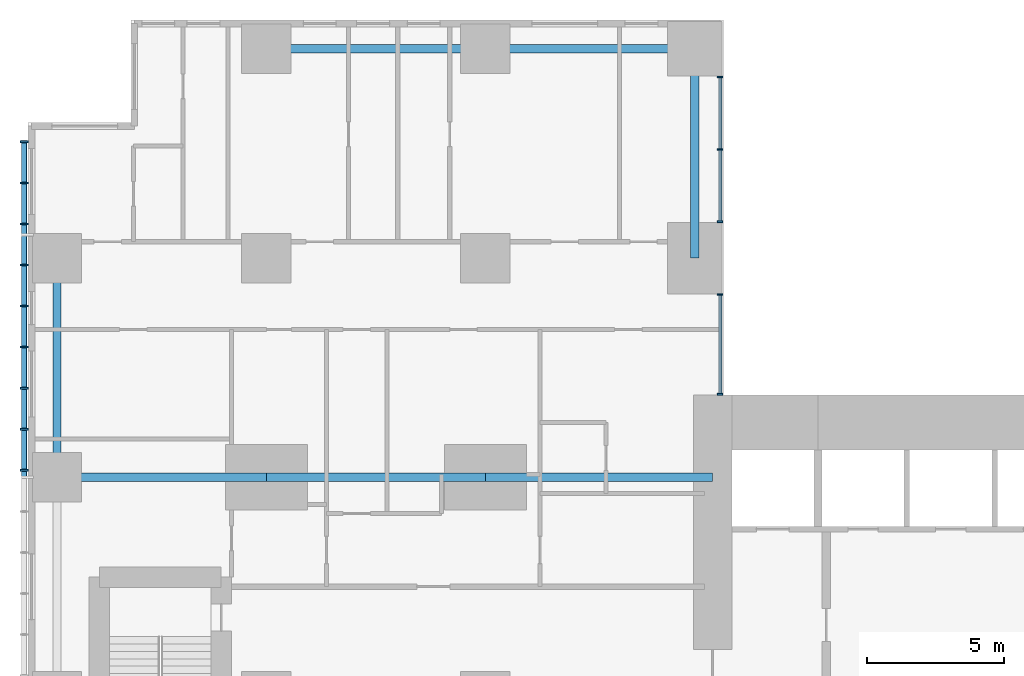
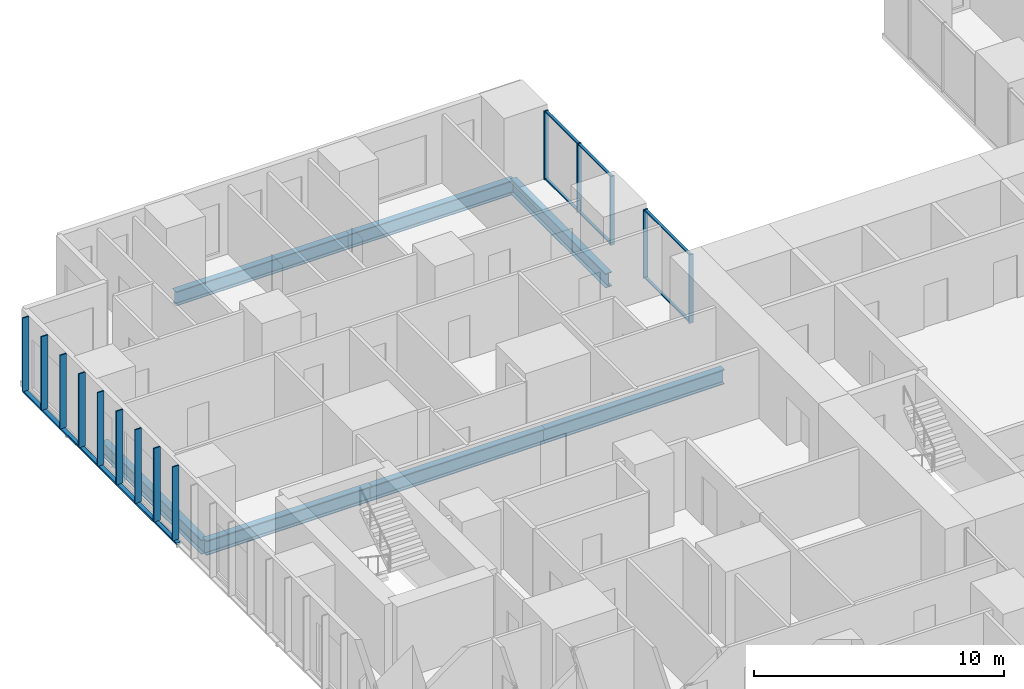
# One storey, part 4 of 20: 21 members, 7 beams, 2 elements without a shape of their own.
"""IFC4 building model written with IfcOpenShell, lengths in metres."""

import ifcopenshell
import ifcopenshell.guid

model = None  # the IFC model being written
_history = None  # IfcOwnerHistory: only IFC2X3 demands one
_inside = {}  # id of a spatial element -> (the spatial element, [elements in it])
_under = {}  # id of a project, library or spatial element -> (it, [spatial elements below it])
_declared = {}  # id of a project -> (the project, [libraries it declares])
_typed = {}  # id of a type object -> (the type object, [elements of that type])
_made_of = {}  # id of a material, layer set ... -> (it, [elements and type objects made of it])


def new_model(schema):
    """Start an empty IFC model of exactly this schema.

    Asked for "IFC4X3", IfcOpenShell would pick the latest addendum, in which some entities
    have other attributes; the version numbers below select the first issue.
    IFC2X3 requires an IfcOwnerHistory on every rooted entity: one is made here for all.
    """
    global model, _history
    if schema == "IFC4X3":
        model = ifcopenshell.file(schema_version=(4, 3, 0, 0))
    else:
        model = ifcopenshell.file(schema=schema)
    _inside.clear()
    _under.clear()
    _declared.clear()
    _typed.clear()
    _made_of.clear()
    _history = None
    if model.schema == "IFC2X3":
        org = make("IfcOrganization", Name="unknown")
        user = make(
            "IfcPersonAndOrganization",
            ThePerson=make("IfcPerson", FamilyName="unknown"),
            TheOrganization=org,
        )
        app = make(
            "IfcApplication",
            ApplicationDeveloper=org,
            Version="unknown",
            ApplicationFullName="unknown",
            ApplicationIdentifier="unknown",
        )
        _history = make(
            "IfcOwnerHistory",
            OwningUser=user,
            OwningApplication=app,
            ChangeAction="ADDED",
            CreationDate=0,
        )
    return model


def make(cls, **values):
    """One entity of the class cls with the attributes given. An attribute that is None is left unset."""
    return model.create_entity(
        cls, **{name: value for name, value in values.items() if value is not None}
    )


def rooted(cls, **values):
    """An entity with a GlobalId (a new one), such as an element, a storey or a relation."""
    return make(cls, GlobalId=ifcopenshell.guid.new(), OwnerHistory=_history, **values)


def si_unit(unit_type, name, prefix=None):
    """IfcSIUnit, for example si_unit("LENGTHUNIT", "METRE", prefix="MILLI")."""
    return make("IfcSIUnit", UnitType=unit_type, Prefix=prefix, Name=name)


def assignment(units):
    """IfcUnitAssignment: the units of a project."""
    return None if units is None else make("IfcUnitAssignment", Units=units)


def point(xyz):
    """IfcCartesianPoint."""
    return None if xyz is None else make("IfcCartesianPoint", Coordinates=xyz)


def direction(xyz):
    """IfcDirection."""
    return None if xyz is None else make("IfcDirection", DirectionRatios=xyz)


def frame(location, z_axis=None, x_axis=None):
    """IfcAxis2Placement3D, a coordinate frame: its origin and axes. An axis left out is left unset."""
    return make(
        "IfcAxis2Placement3D",
        Location=point(location),
        Axis=direction(z_axis),
        RefDirection=direction(x_axis),
    )


def frame_2d(location, x_axis=None):
    """IfcAxis2Placement2D, a coordinate frame in the plane: its origin and x axis."""
    return make(
        "IfcAxis2Placement2D", Location=point(location), RefDirection=direction(x_axis)
    )


def origin():
    """The frame at (0, 0, 0) with its axes left unset."""
    return frame((0.0, 0.0, 0.0))


def origin_2d():
    """The frame at (0, 0) in the plane with its x axis left unset."""
    return frame_2d((0.0, 0.0))


def place(relative_to, where):
    """IfcLocalPlacement: puts the frame where relative to a parent placement (None: the world)."""
    return make(
        "IfcLocalPlacement", PlacementRelTo=relative_to, RelativePlacement=where
    )


def context(
    kind, dimensions, precision=None, world=None, true_north=None, identifier=None
):
    """IfcGeometricRepresentationContext, for example the 3D "Model" context."""
    return make(
        "IfcGeometricRepresentationContext",
        ContextIdentifier=identifier,
        ContextType=kind,
        CoordinateSpaceDimension=dimensions,
        Precision=precision,
        WorldCoordinateSystem=world,
        TrueNorth=true_north,
    )


def subcontext(parent, identifier, kind, view, scale=None):
    """IfcGeometricRepresentationSubContext, for example "Body" below "Model"."""
    return make(
        "IfcGeometricRepresentationSubContext",
        ContextIdentifier=identifier,
        ContextType=kind,
        ParentContext=parent,
        TargetScale=scale,
        TargetView=view,
    )


def project(units=None, contexts=None):
    """IfcProject with its units and contexts."""
    return rooted(
        "IfcProject",
        Name="project",
        RepresentationContexts=contexts,
        UnitsInContext=assignment(units),
    )


def spatial(cls, under=None, at=None, **own):
    """A site, building, storey or space (cls), placed at a placement, below another one or the project."""
    s = rooted(cls, ObjectPlacement=at, **own)
    if under is not None:
        _under.setdefault(under.id(), (under, []))[1].append(s)
    return s


def profile(cls, at=None, kind="AREA", **sizes):
    """A parametric profile (cls). Its sizes go by their IFC names, for example OverallWidth=200.0."""
    return make(cls, ProfileType=kind, Position=at, **sizes)


def rectangle(**sizes):
    """IfcRectangleProfileDef."""
    return profile("IfcRectangleProfileDef", **sizes)


def hollow_rectangle(**sizes):
    """IfcRectangleHollowProfileDef."""
    return profile("IfcRectangleHollowProfileDef", **sizes)


def i_section(**sizes):
    """IfcIShapeProfileDef."""
    return profile("IfcIShapeProfileDef", **sizes)


def extrude(swept, where, along, depth):
    """IfcExtrudedAreaSolid: the profile swept, set in the frame where, extruded along a direction by depth."""
    return make(
        "IfcExtrudedAreaSolid",
        SweptArea=swept,
        Position=where,
        ExtrudedDirection=direction(along),
        Depth=depth,
    )


def shape(context_of_items, identifier, shape_type, items):
    """IfcShapeRepresentation: the items that make up one representation, for example the "Body"."""
    return make(
        "IfcShapeRepresentation",
        ContextOfItems=context_of_items,
        RepresentationIdentifier=identifier,
        RepresentationType=shape_type,
        Items=items,
    )


def material(Name=None, Category=None):
    """IfcMaterial."""
    return make("IfcMaterial", Name=Name, Category=Category)


def layer(
    of_material, thickness, ventilated=None, Name=None, Category=None, Priority=None
):
    """IfcMaterialLayer: one layer of a wall or slab, of a material (None: an air gap)."""
    return make(
        "IfcMaterialLayer",
        Material=of_material,
        LayerThickness=thickness,
        IsVentilated=ventilated,
        Name=Name,
        Category=Category,
        Priority=Priority,
    )


def layer_set(layers, Name=None):
    """IfcMaterialLayerSet."""
    return make("IfcMaterialLayerSet", MaterialLayers=layers, LayerSetName=Name)


def material_profile(
    of_material, cross_section, Name=None, Category=None, Priority=None
):
    """IfcMaterialProfile: a cross section and its material."""
    return make(
        "IfcMaterialProfile",
        Name=Name,
        Material=of_material,
        Profile=cross_section,
        Priority=Priority,
        Category=Category,
    )


def profile_set(profiles, Name=None, composite=None):
    """IfcMaterialProfileSet."""
    return make(
        "IfcMaterialProfileSet",
        Name=Name,
        MaterialProfiles=profiles,
        CompositeProfile=composite,
    )


def made_of(thing, what):
    """Note that an element or type object is made of a material, layer set ...; save() writes the relation."""
    if what is not None:
        _made_of.setdefault(what.id(), (what, []))[1].append(thing)
    return thing


def type_object(cls, material=None, **own):
    """A type object (cls), such as IfcWallType, which elements share."""
    return made_of(rooted(cls, **own), material)


def element(
    cls,
    number,
    at=None,
    inside=None,
    cuts=None,
    type_object=None,
    material=None,
    context=None,
    identifier="Body",
    shape_type=None,
    held_by="IfcProductDefinitionShape",
    body=None,
    shapes=None,
    **own,
):
    """One element of the class cls, such as IfcWall. Its Tag is "e" and its number.

    at: its placement. inside: the storey or other place that contains it. cuts: it is an
    opening in that element (IfcRelVoidsElement). A single representation is given by context,
    identifier, shape_type and body (its items); several are given by shapes. held_by: the class
    of the entity that holds the representations. save() writes the other relations.
    """
    e = rooted(cls, Tag="e%d" % number, ObjectPlacement=at, **own)
    if body is not None:
        shapes = [shape(context, identifier, shape_type, body)]
    if shapes is not None:
        e.Representation = make(held_by, Representations=shapes)
    if inside is not None:
        _inside.setdefault(inside.id(), (inside, []))[1].append(e)
    if cuts is not None:
        rooted(
            "IfcRelVoidsElement", RelatingBuildingElement=cuts, RelatedOpeningElement=e
        )
    if type_object is not None:
        _typed.setdefault(type_object.id(), (type_object, []))[1].append(e)
    return made_of(e, material)


def aggregate(whole, parts):
    """IfcRelAggregates: a whole, such as a stair, and the parts it consists of."""
    return rooted("IfcRelAggregates", RelatingObject=whole, RelatedObjects=parts)


def save(model, path):
    """Write the relations noted so far, then the file.

    IfcRelAggregates (storeys below a building ...), IfcRelContainedInSpatialStructure (elements
    in a storey), IfcRelDefinesByType, IfcRelAssociatesMaterial and IfcRelDeclares: one each for
    every whole, place, type object, material and project.
    """
    for whole, parts in _under.values():
        aggregate(whole, parts)
    for where, things in _inside.values():
        rooted(
            "IfcRelContainedInSpatialStructure",
            RelatedElements=things,
            RelatingStructure=where,
        )
    for kind, things in _typed.values():
        rooted("IfcRelDefinesByType", RelatedObjects=things, RelatingType=kind)
    for what, things in _made_of.values():
        rooted("IfcRelAssociatesMaterial", RelatedObjects=things, RelatingMaterial=what)
    for by, libraries in _declared.values():
        rooted("IfcRelDeclares", RelatingContext=by, RelatedDefinitions=libraries)
    model.write(path)


model = new_model("IFC4")

# Units and contexts
model_context = context("Model", 3, precision=1e-05, world=origin(), true_north=direction((0.0, 1.0)))
body_context = subcontext(model_context, "Body", "Model", "MODEL_VIEW")
ifc_project = project(units=[si_unit("LENGTHUNIT", "METRE"), si_unit("AREAUNIT", "SQUARE_METRE"), si_unit("VOLUMEUNIT", "CUBIC_METRE"), si_unit("PLANEANGLEUNIT", "RADIAN"), si_unit("MASSUNIT", "GRAM", prefix="KILO")], contexts=[model_context])

# Site, building, storey
site_placement = place(None, origin())
site = spatial("IfcSite", under=ifc_project, at=site_placement, CompositionType="ELEMENT")
building_placement = place(site_placement, origin())
building = spatial("IfcBuilding", under=site, at=building_placement, Name="Cleftline Residences", CompositionType="ELEMENT")
storey_placement = place(building_placement, frame((0.0, 0.0, 193.0)))
storey = spatial("IfcBuildingStorey", under=building, at=storey_placement, Name="L50", CompositionType="ELEMENT", Elevation=193.0)

# Member
ifc_material_1 = material(Name="Steel S355, hot-dip galvanised", Category="steel")
ifc_material_profile_1 = material_profile(ifc_material_1, hollow_rectangle(XDim=0.10009765625, YDim=0.199951171875, WallThickness=0.008056640625, InnerFilletRadius=0.008056640625, OuterFilletRadius=0.011962890625, at=origin_2d()))
ifc_profile_set_1 = profile_set([ifc_material_profile_1], Name="Steel S355, hot-dip galvanised")
member_type_1 = type_object("IfcMemberType", Name="BAGUETTE CARRIER RHS 200X100X8", PredefinedType="USERDEFINED", material=ifc_profile_set_1)
member_1_placement = place(storey_placement, frame((-0.85009765625, 44.300048828125, -0.050048828125), z_axis=(0.0, -1.0, 0.0), x_axis=(0.0, 0.0, 1.0)))
element("IfcMember", 1, at=member_1_placement, inside=storey, type_object=member_type_1, Name="Baguette carrier", ObjectType="BAGUETTE CARRIER", PredefinedType="USERDEFINED", context=body_context, shape_type="SweptSolid", body=[
    extrude(hollow_rectangle(XDim=0.10009765625, YDim=0.199951171875, WallThickness=0.008056640625, InnerFilletRadius=0.008056640625, OuterFilletRadius=0.011962890625, at=origin_2d()), origin(), (0.0, 0.0, 1.0), 12.300048828125),
])

# Beams
ifc_material_2 = material(Name="Steel S355", Category="steel")
ifc_material_profile_2 = material_profile(ifc_material_2, i_section(OverallWidth=0.300048828125, OverallDepth=0.699951171875, WebThickness=0.01708984375, FlangeThickness=0.031982421875, FilletRadius=0.027099609375, at=origin_2d()))
ifc_profile_set_2 = profile_set([ifc_material_profile_2], Name="Steel S355")
beam_type_1 = type_object("IfcBeamType", Name="BEAM HEB 700", PredefinedType="BEAM", material=ifc_profile_set_2)
for number, where, z_axis, x_axis, name in (
    (2, (0.35009765625, 32.0, -0.60009765625), (0.0, 1.0, 0.0), (-1.0, 0.0, 0.0), "Edge beam"),
    (3, (8.0, 47.64990234375, -0.60009765625), (1.0, 0.0, 0.0), (0.0, 1.0, 0.0), "Edge beam"),
):
    element("IfcBeam", number, at=place(storey_placement, frame(where, z_axis=z_axis, x_axis=x_axis)), inside=storey, type_object=beam_type_1, Name=name, PredefinedType="BEAM", context=body_context, shape_type="SweptSolid", body=[
        extrude(i_section(OverallWidth=0.300048828125, OverallDepth=0.699951171875, WebThickness=0.01708984375, FlangeThickness=0.031982421875, FilletRadius=0.027099609375, at=origin_2d()), origin(), (0.0, 0.0, 1.0), 8.0),
    ])
for number, where, z_axis, x_axis, name in (
    (4, (16.0, 47.64990234375, -0.60009765625), (1.0, 0.0, 0.0), (0.0, 1.0, 0.0), "Edge beam"),
    (5, (23.64990234375, 47.64990234375, -0.60009765625), (0.0, -1.0, 0.0), (1.0, 0.0, 0.0), "Edge beam"),
):
    element("IfcBeam", number, at=place(storey_placement, frame(where, z_axis=z_axis, x_axis=x_axis)), inside=storey, type_object=beam_type_1, Name=name, PredefinedType="BEAM", context=body_context, shape_type="SweptSolid", body=[
        extrude(i_section(OverallWidth=0.300048828125, OverallDepth=0.699951171875, WebThickness=0.01708984375, FlangeThickness=0.031982421875, FilletRadius=0.027099609375, at=origin_2d()), origin(), (0.0, 0.0, 1.0), 7.64990234375),
    ])
ifc_material_3 = material(Name="Steel S355", Category="steel")
ifc_material_profile_3 = material_profile(ifc_material_3, i_section(OverallWidth=0.303955078125, OverallDepth=0.716064453125, WebThickness=0.02099609375, FlangeThickness=0.0400390625, FilletRadius=0.027099609375, at=origin_2d()))
ifc_profile_set_3 = profile_set([ifc_material_profile_3], Name="Steel S355")
beam_type_2 = type_object("IfcBeamType", Name="BEAM HEM 700", PredefinedType="BEAM", material=ifc_profile_set_3)
beam_1_placement = place(storey_placement, frame((0.35009765625, 32.0, -0.60791015625), z_axis=(1.0, 0.0, 0.0), x_axis=(0.0, 1.0, 0.0)))
element("IfcBeam", 6, at=beam_1_placement, inside=storey, type_object=beam_type_2, Name="Band beam", PredefinedType="BEAM", context=body_context, shape_type="SweptSolid", body=[
    extrude(i_section(OverallWidth=0.303955078125, OverallDepth=0.716064453125, WebThickness=0.02099609375, FlangeThickness=0.0400390625, FilletRadius=0.027099609375, at=origin_2d()), origin(), (0.0, 0.0, 1.0), 7.64990234375),
])
beam_2_placement = place(storey_placement, frame((8.0, 32.0, -0.60791015625), z_axis=(1.0, 0.0, 0.0), x_axis=(0.0, 1.0, 0.0)))
element("IfcBeam", 7, at=beam_2_placement, inside=storey, type_object=beam_type_2, Name="Band beam", PredefinedType="BEAM", context=body_context, shape_type="SweptSolid", body=[
    extrude(i_section(OverallWidth=0.303955078125, OverallDepth=0.716064453125, WebThickness=0.02099609375, FlangeThickness=0.0400390625, FilletRadius=0.027099609375, at=origin_2d()), origin(), (0.0, 0.0, 1.0), 8.0),
])
beam_3_placement = place(storey_placement, frame((16.0, 32.0, -0.60791015625), z_axis=(1.0, 0.0, 0.0), x_axis=(0.0, 1.0, 0.0)))
element("IfcBeam", 8, at=beam_3_placement, inside=storey, type_object=beam_type_2, Name="Band beam", PredefinedType="BEAM", context=body_context, shape_type="SweptSolid", body=[
    extrude(i_section(OverallWidth=0.303955078125, OverallDepth=0.716064453125, WebThickness=0.02099609375, FlangeThickness=0.0400390625, FilletRadius=0.027099609375, at=origin_2d()), origin(), (0.0, 0.0, 1.0), 8.300048828125),
])

# Curtain wall, members
ifc_material_4 = material(Name="Aluminium framed curtain wall", Category="aluminium")
ifc_layer = layer(ifc_material_4, 0.199951171875)
ifc_layer_set = layer_set([ifc_layer], Name="CW1 CLEFT GLAZING")
curtain_wall_type = type_object("IfcCurtainWallType", Name="CW1 CLEFT GLAZING", PredefinedType="NOTDEFINED", material=ifc_layer_set)
curtain_wall_1_placement = place(storey_placement, origin())
curtain_wall_1 = element("IfcCurtainWall", 9, at=curtain_wall_1_placement, inside=storey, type_object=curtain_wall_type, Name="Curtain wall CW1", PredefinedType="NOTDEFINED")
ifc_material_5 = material(Name="Aluminium mullion", Category="aluminium")
ifc_material_profile_4 = material_profile(ifc_material_5, rectangle(XDim=0.199951171875, YDim=0.06005859375, at=origin_2d()))
ifc_profile_set_4 = profile_set([ifc_material_profile_4], Name="Aluminium mullion")
member_type_2 = type_object("IfcMemberType", Name="CW1 MULLION", PredefinedType="MULLION", material=ifc_profile_set_4)
member_2_placement = place(storey_placement, frame((24.574951171875, 35.030029296875, 0.0), z_axis=(0.0, 0.0, 1.0), x_axis=(-1.0, 0.0, 0.0)))
member_2 = element("IfcMember", 10, at=member_2_placement, type_object=member_type_2, Name="CW1 mullion 1", PredefinedType="MULLION", context=body_context, shape_type="SweptSolid", body=[
    extrude(rectangle(XDim=0.199951171875, YDim=0.06005859375, at=origin_2d()), origin(), (0.0, 0.0, 1.0), 3.35009765625),
])
member_3_placement = place(storey_placement, frame((24.574951171875, 38.669921875, 0.0), z_axis=(0.0, 0.0, 1.0), x_axis=(-1.0, 0.0, 0.0)))
member_3 = element("IfcMember", 11, at=member_3_placement, type_object=member_type_2, Name="CW1 mullion 2", PredefinedType="MULLION", context=body_context, shape_type="SweptSolid", body=[
    extrude(rectangle(XDim=0.199951171875, YDim=0.06005859375, at=origin_2d()), origin(), (0.0, 0.0, 1.0), 3.35009765625),
])

curtain_wall_2_placement = place(storey_placement, origin())
curtain_wall_2 = element("IfcCurtainWall", 12, at=curtain_wall_2_placement, inside=storey, type_object=curtain_wall_type, Name="Curtain wall CW1", PredefinedType="NOTDEFINED")
member_4_placement = place(storey_placement, frame((24.574951171875, 41.330078125, 0.0), z_axis=(0.0, 0.0, 1.0), x_axis=(-1.0, 0.0, 0.0)))
member_4 = element("IfcMember", 13, at=member_4_placement, type_object=member_type_2, Name="CW1 mullion 1", PredefinedType="MULLION", context=body_context, shape_type="SweptSolid", body=[
    extrude(rectangle(XDim=0.199951171875, YDim=0.06005859375, at=origin_2d()), origin(), (0.0, 0.0, 1.0), 3.35009765625),
])
member_5_placement = place(storey_placement, frame((24.574951171875, 43.97509765625, 0.0), z_axis=(0.0, 0.0, 1.0), x_axis=(-1.0, 0.0, 0.0)))
member_5 = element("IfcMember", 14, at=member_5_placement, type_object=member_type_2, Name="CW1 mullion 2", PredefinedType="MULLION", context=body_context, shape_type="SweptSolid", body=[
    extrude(rectangle(XDim=0.199951171875, YDim=0.06005859375, at=origin_2d()), origin(), (0.0, 0.0, 1.0), 3.35009765625),
])
member_6_placement = place(storey_placement, frame((24.574951171875, 46.6201171875, 0.0), z_axis=(0.0, 0.0, 1.0), x_axis=(-1.0, 0.0, 0.0)))
member_6 = element("IfcMember", 15, at=member_6_placement, type_object=member_type_2, Name="CW1 mullion 3", PredefinedType="MULLION", context=body_context, shape_type="SweptSolid", body=[
    extrude(rectangle(XDim=0.199951171875, YDim=0.06005859375, at=origin_2d()), origin(), (0.0, 0.0, 1.0), 3.35009765625),
])

# Member
ifc_material_6 = material(Name="Aluminium transom", Category="aluminium")
ifc_material_profile_5 = material_profile(ifc_material_6, rectangle(XDim=0.1201171875, YDim=0.06005859375, at=origin_2d()))
ifc_profile_set_5 = profile_set([ifc_material_profile_5], Name="Aluminium transom")
member_type_3 = type_object("IfcMemberType", Name="CW1 TRANSOM", PredefinedType="USERDEFINED", material=ifc_profile_set_5)
member_7_placement = place(storey_placement, frame((24.574951171875, 35.06005859375, 0.030029296875), z_axis=(0.0, 1.0, 0.0), x_axis=(-1.0, 0.0, 0.0)))
member_7 = element("IfcMember", 16, at=member_7_placement, type_object=member_type_3, Name="CW1 transom 1.1", ObjectType="TRANSOM", PredefinedType="USERDEFINED", context=body_context, shape_type="SweptSolid", body=[
    extrude(rectangle(XDim=0.1201171875, YDim=0.06005859375, at=origin_2d()), origin(), (0.0, 0.0, 1.0), 3.579833984375),
])

member_8_placement = place(storey_placement, frame((24.574951171875, 35.06005859375, 3.320068359375), z_axis=(0.0, 1.0, 0.0), x_axis=(-1.0, 0.0, 0.0)))
member_8 = element("IfcMember", 17, at=member_8_placement, type_object=member_type_3, Name="CW1 transom 1.2", ObjectType="TRANSOM", PredefinedType="USERDEFINED", context=body_context, shape_type="SweptSolid", body=[
    extrude(rectangle(XDim=0.1201171875, YDim=0.06005859375, at=origin_2d()), origin(), (0.0, 0.0, 1.0), 3.579833984375),
])

aggregate(curtain_wall_1, [member_2, member_3, member_7, member_8])

member_9_placement = place(storey_placement, frame((24.574951171875, 41.360107421875, 0.030029296875), z_axis=(0.0, 1.0, 0.0), x_axis=(-1.0, 0.0, 0.0)))
member_9 = element("IfcMember", 18, at=member_9_placement, type_object=member_type_3, Name="CW1 transom 1.1", ObjectType="TRANSOM", PredefinedType="USERDEFINED", context=body_context, shape_type="SweptSolid", body=[
    extrude(rectangle(XDim=0.1201171875, YDim=0.06005859375, at=origin_2d()), origin(), (0.0, 0.0, 1.0), 2.5849609375),
])

member_10_placement = place(storey_placement, frame((24.574951171875, 41.360107421875, 3.320068359375), z_axis=(0.0, 1.0, 0.0), x_axis=(-1.0, 0.0, 0.0)))
member_10 = element("IfcMember", 19, at=member_10_placement, type_object=member_type_3, Name="CW1 transom 1.2", ObjectType="TRANSOM", PredefinedType="USERDEFINED", context=body_context, shape_type="SweptSolid", body=[
    extrude(rectangle(XDim=0.1201171875, YDim=0.06005859375, at=origin_2d()), origin(), (0.0, 0.0, 1.0), 2.5849609375),
])

member_11_placement = place(storey_placement, frame((24.574951171875, 44.0048828125, 0.030029296875), z_axis=(0.0, 1.0, 0.0), x_axis=(-1.0, 0.0, 0.0)))
member_11 = element("IfcMember", 20, at=member_11_placement, type_object=member_type_3, Name="CW1 transom 2.1", ObjectType="TRANSOM", PredefinedType="USERDEFINED", context=body_context, shape_type="SweptSolid", body=[
    extrude(rectangle(XDim=0.1201171875, YDim=0.06005859375, at=origin_2d()), origin(), (0.0, 0.0, 1.0), 2.585205078125),
])

member_12_placement = place(storey_placement, frame((24.574951171875, 44.0048828125, 3.320068359375), z_axis=(0.0, 1.0, 0.0), x_axis=(-1.0, 0.0, 0.0)))
member_12 = element("IfcMember", 21, at=member_12_placement, type_object=member_type_3, Name="CW1 transom 2.2", ObjectType="TRANSOM", PredefinedType="USERDEFINED", context=body_context, shape_type="SweptSolid", body=[
    extrude(rectangle(XDim=0.1201171875, YDim=0.06005859375, at=origin_2d()), origin(), (0.0, 0.0, 1.0), 2.585205078125),
])

aggregate(curtain_wall_2, [member_4, member_5, member_6, member_9, member_10, member_11, member_12])

# Members
ifc_material_7 = material(Name="Extruded terracotta", Category="masonry")
ifc_material_profile_6 = material_profile(ifc_material_7, rectangle(XDim=0.06005859375, YDim=0.300048828125, at=origin_2d()))
ifc_profile_set_6 = profile_set([ifc_material_profile_6], Name="Extruded terracotta")
member_type_4 = type_object("IfcMemberType", Name="TERRACOTTA BAGUETTE 60X300", PredefinedType="USERDEFINED", material=ifc_profile_set_6)
for number, where, z_axis, x_axis, name in (
    (22, (-0.85009765625, 44.25, 0.0), (0.0, 0.0, 1.0), (0.0, 1.0, 0.0), "Terracotta baguette"),
    (23, (-0.85009765625, 42.75, 0.0), (0.0, 0.0, 1.0), (0.0, 1.0, 0.0), "Terracotta baguette"),
    (24, (-0.85009765625, 41.25, 0.0), (0.0, 0.0, 1.0), (0.0, 1.0, 0.0), "Terracotta baguette"),
    (25, (-0.85009765625, 39.75, 0.0), (0.0, 0.0, 1.0), (0.0, 1.0, 0.0), "Terracotta baguette"),
    (26, (-0.85009765625, 38.25, 0.0), (0.0, 0.0, 1.0), (0.0, 1.0, 0.0), "Terracotta baguette"),
    (27, (-0.85009765625, 36.75, 0.0), (0.0, 0.0, 1.0), (0.0, 1.0, 0.0), "Terracotta baguette"),
    (28, (-0.85009765625, 35.25, 0.0), (0.0, 0.0, 1.0), (0.0, 1.0, 0.0), "Terracotta baguette"),
    (29, (-0.85009765625, 33.75, 0.0), (0.0, 0.0, 1.0), (0.0, 1.0, 0.0), "Terracotta baguette"),
    (30, (-0.85009765625, 32.25, 0.0), (0.0, 0.0, 1.0), (0.0, 1.0, 0.0), "Terracotta baguette"),
):
    element("IfcMember", number, at=place(storey_placement, frame(where, z_axis=z_axis, x_axis=x_axis)), inside=storey, type_object=member_type_4, Name=name, ObjectType="BAGUETTE", PredefinedType="USERDEFINED", context=body_context, shape_type="SweptSolid", body=[
        extrude(rectangle(XDim=0.06005859375, YDim=0.300048828125, at=origin_2d()), origin(), (0.0, 0.0, 1.0), 3.60009765625),
    ])

save(model, "model.ifc")
